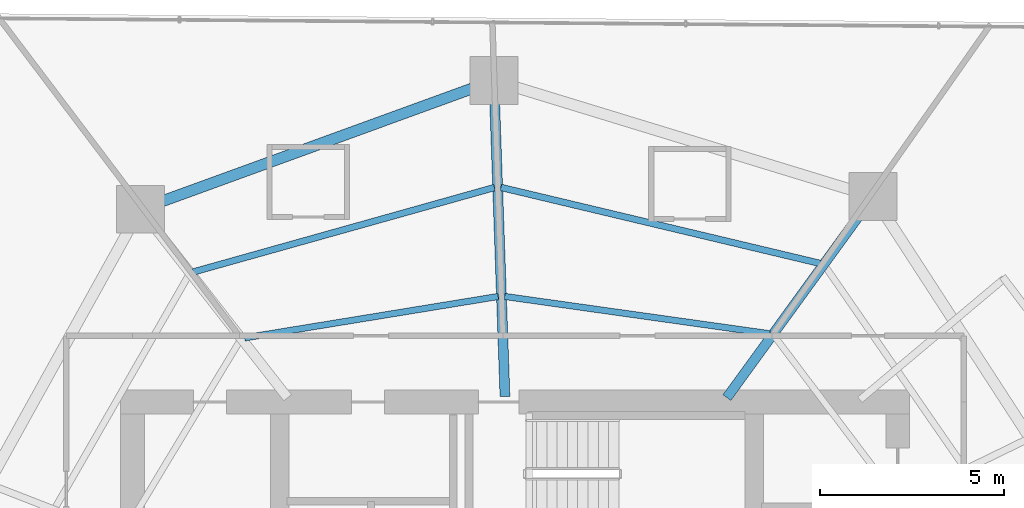
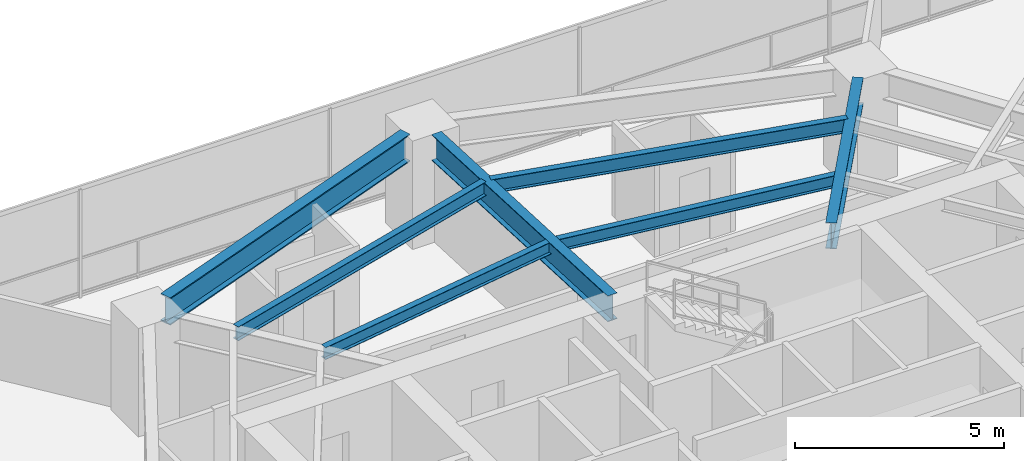
# One storey, part 18 of 31: 7 beams.
"""IFC4 building model written with IfcOpenShell, lengths in metres."""

from ifc_helpers import new_model, si_unit, direction, frame, origin, origin_2d, place, context, subcontext, project, spatial, i_section, extrude, material, material_profile, profile_set, type_object, element, save


model = new_model("IFC4")

# Units and contexts
model_context = context("Model", 3, precision=1e-05, world=origin(), true_north=direction((0.0, 1.0)))
body_context = subcontext(model_context, "Body", "Model", "MODEL_VIEW")
ifc_project = project(units=[si_unit("LENGTHUNIT", "METRE"), si_unit("AREAUNIT", "SQUARE_METRE"), si_unit("VOLUMEUNIT", "CUBIC_METRE"), si_unit("PLANEANGLEUNIT", "RADIAN"), si_unit("MASSUNIT", "GRAM", prefix="KILO")], contexts=[model_context])

# Site, building, storey
site_placement = place(None, origin())
site = spatial("IfcSite", under=ifc_project, at=site_placement, CompositionType="ELEMENT")
building_placement = place(site_placement, origin())
building = spatial("IfcBuilding", under=site, at=building_placement, Name="Qarnah Convention Tower", CompositionType="ELEMENT")
storey_placement = place(building_placement, frame((0.0, 0.0, 64.949951171875)))
storey = spatial("IfcBuildingStorey", under=building, at=storey_placement, Name="L16", CompositionType="ELEMENT", Elevation=64.949951171875)

# Beams
ifc_material = material(Name="Structural steel S355JR", Category="steel")
ifc_material_profile_1 = material_profile(ifc_material, i_section(OverallWidth=0.172119140625, OverallDepth=0.35595703125, WebThickness=0.007080078125, FlangeThickness=0.011962890625, at=origin_2d()), Name="W360X51")
ifc_profile_set_1 = profile_set([ifc_material_profile_1], Name="Structural steel S355JR")
beam_type_1 = type_object("IfcBeamType", Name="BM-JST-W360", PredefinedType="JOIST", material=ifc_profile_set_1)
beam_1_placement = place(storey_placement, frame((44.117919921875, 36.056884765625, 2.991943359375), z_axis=(-0.990232771612, 0.139424022414, 0.0), x_axis=(-0.139424022414, -0.990232771612, 0.0)))
element("IfcBeam", 1, at=beam_1_placement, inside=storey, type_object=beam_type_1, Name="L16 joist BM-L16-IJST-02", PredefinedType="JOIST", context=body_context, shape_type="SweptSolid", body=[
    extrude(i_section(OverallWidth=0.172119140625, OverallDepth=0.35595703125, WebThickness=0.007080078125, FlangeThickness=0.011962890625, at=origin_2d()), origin(), (0.0, 0.0, 1.0), 7.27392578125),
])
beam_2_placement = place(storey_placement, frame((36.737060546875, 37.070068359375, 2.991943359375), z_axis=(-0.986919717952, -0.161212500503, 0.0), x_axis=(0.161212500503, -0.986919717952, 0.0)))
element("IfcBeam", 2, at=beam_2_placement, inside=storey, type_object=beam_type_1, Name="L16 joist BM-L16-IJST-03", PredefinedType="JOIST", context=body_context, shape_type="SweptSolid", body=[
    extrude(i_section(OverallWidth=0.172119140625, OverallDepth=0.35595703125, WebThickness=0.007080078125, FlangeThickness=0.011962890625, at=origin_2d()), origin(), (0.0, 0.0, 1.0), 6.984375),
])
ifc_material_profile_2 = material_profile(ifc_material, i_section(OverallWidth=0.177978515625, OverallDepth=0.407958984375, WebThickness=0.008056640625, FlangeThickness=0.012939453125, at=origin_2d()), Name="W410X60")
ifc_profile_set_2 = profile_set([ifc_material_profile_2], Name="Structural steel S355JR")
beam_type_2 = type_object("IfcBeamType", Name="BM-JST-W410", PredefinedType="JOIST", material=ifc_profile_set_2)
beam_3_placement = place(storey_placement, frame((45.5, 37.966064453125, 2.966064453125), z_axis=(-0.972805041554, 0.231625454401, 0.0), x_axis=(-0.231625454401, -0.972805041554, 0.0)))
element("IfcBeam", 3, at=beam_3_placement, inside=storey, type_object=beam_type_2, Name="L16 joist BM-L16-SJST-02", PredefinedType="JOIST", context=body_context, shape_type="SweptSolid", body=[
    extrude(i_section(OverallWidth=0.177978515625, OverallDepth=0.407958984375, WebThickness=0.008056640625, FlangeThickness=0.012939453125, at=origin_2d()), origin(), (0.0, 0.0, 1.0), 8.931884765625),
])
beam_4_placement = place(storey_placement, frame((36.635986328125, 40.031982421875, 2.966064453125), z_axis=(-0.962855992526, -0.270015439665, 0.0), x_axis=(0.270015439665, -0.962855992526, 0.0)))
element("IfcBeam", 4, at=beam_4_placement, inside=storey, type_object=beam_type_2, Name="L16 joist BM-L16-SJST-03", PredefinedType="JOIST", context=body_context, shape_type="SweptSolid", body=[
    extrude(i_section(OverallWidth=0.177978515625, OverallDepth=0.407958984375, WebThickness=0.008056640625, FlangeThickness=0.012939453125, at=origin_2d()), origin(), (0.0, 0.0, 1.0), 8.5029296875),
])
ifc_material_profile_3 = material_profile(ifc_material, i_section(OverallWidth=0.26806640625, OverallDepth=0.760009765625, WebThickness=0.014892578125, FlangeThickness=0.02197265625, at=origin_2d()), Name="W760X185")
ifc_profile_set_3 = profile_set([ifc_material_profile_3], Name="Structural steel S355JR")
beam_type_3 = type_object("IfcBeamType", Name="BM-RAD-W760", PredefinedType="BEAM", material=ifc_profile_set_3)
beam_5_placement = place(storey_placement, frame((42.955078125, 34.321044921875, 2.7900390625), z_axis=(0.587873224058, 0.808953071837, 0.0), x_axis=(-0.808953071837, 0.587873224058, 0.0)))
element("IfcBeam", 5, at=beam_5_placement, inside=storey, type_object=beam_type_3, Name="L16 beam BM-L16-RAD-02", PredefinedType="BEAM", context=body_context, shape_type="SweptSolid", body=[
    extrude(i_section(OverallWidth=0.26806640625, OverallDepth=0.760009765625, WebThickness=0.014892578125, FlangeThickness=0.02197265625, at=origin_2d()), origin(), (0.0, 0.0, 1.0), 6.12890625),
])
beam_6_placement = place(storey_placement, frame((36.922119140625, 34.35009765625, 2.7900390625), z_axis=(-0.034913066254, 0.999390353068, 0.0), x_axis=(-0.999390353068, -0.034913066254, 0.0)))
element("IfcBeam", 6, at=beam_6_placement, inside=storey, type_object=beam_type_3, Name="L16 beam BM-L16-RAD-03", PredefinedType="BEAM", context=body_context, shape_type="SweptSolid", body=[
    extrude(i_section(OverallWidth=0.26806640625, OverallDepth=0.760009765625, WebThickness=0.014892578125, FlangeThickness=0.02197265625, at=origin_2d()), origin(), (0.0, 0.0, 1.0), 7.96484375),
])
ifc_material_profile_4 = material_profile(ifc_material, i_section(OverallWidth=0.300048828125, OverallDepth=0.800048828125, WebThickness=0.01806640625, FlangeThickness=0.032958984375, at=origin_2d()), Name="HEB800")
ifc_profile_set_4 = profile_set([ifc_material_profile_4], Name="Structural steel S355JR")
beam_type_4 = type_object("IfcBeamType", Name="BM-RING-HEB800", PredefinedType="BEAM", material=ifc_profile_set_4)
beam_7_placement = place(storey_placement, frame((36.02099609375, 42.720947265625, 2.77001953125), z_axis=(-0.939712145037, -0.341966496121, 0.0), x_axis=(0.341966496121, -0.939712145037, 0.0)))
element("IfcBeam", 7, at=beam_7_placement, inside=storey, type_object=beam_type_4, Name="L16 beam BM-L16-SPN-03", PredefinedType="BEAM", context=body_context, shape_type="SweptSolid", body=[
    extrude(i_section(OverallWidth=0.300048828125, OverallDepth=0.800048828125, WebThickness=0.01806640625, FlangeThickness=0.032958984375, at=origin_2d()), origin(), (0.0, 0.0, 1.0), 8.948486328125),
])

save(model, "model.ifc")
